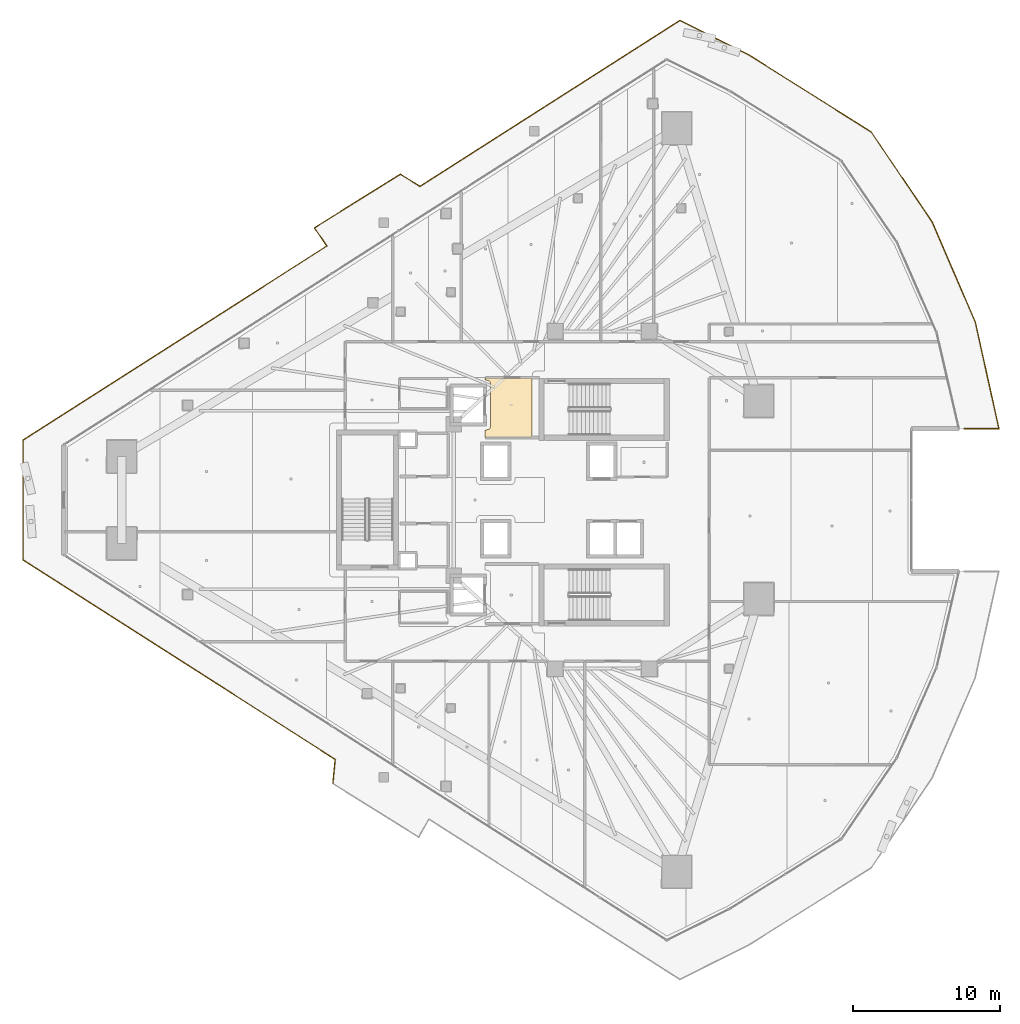
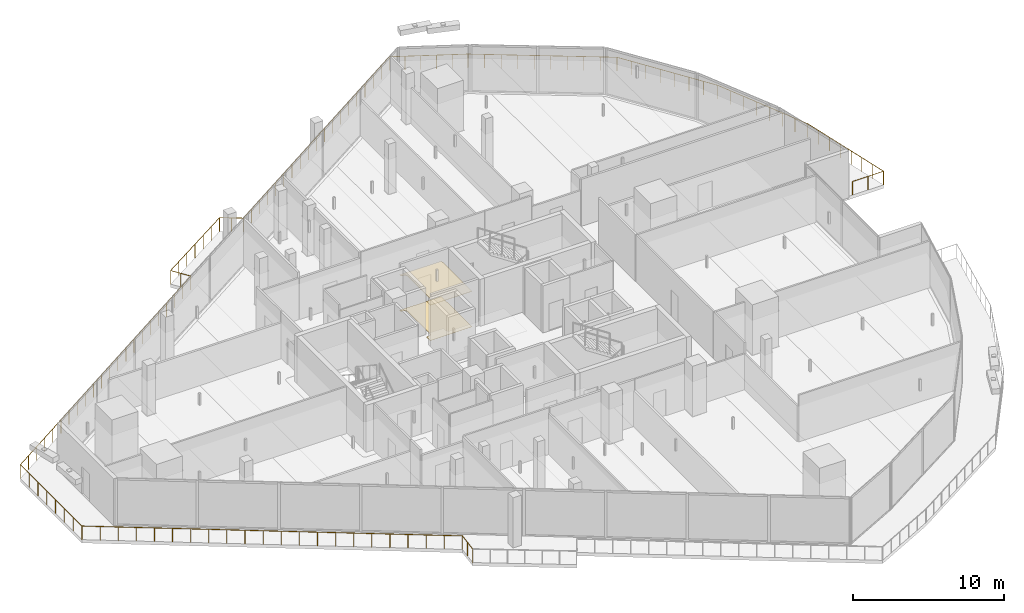
# One storey, part 37 of 39: 2 coverings, 1 railing.
"""IFC4 building model written with IfcOpenShell, lengths in metres."""

from ifc_helpers import new_model, si_unit, direction, frame, origin, origin_2d, place, context, subcontext, project, spatial, polyline, circle, outline, extrude, material, layer, layer_set, type_object, element, save


model = new_model("IFC4")

# Units and contexts
model_context = context("Model", 3, precision=1e-05, world=origin(), true_north=direction((0.0, 1.0)))
body_context = subcontext(model_context, "Body", "Model", "MODEL_VIEW")
ifc_project = project(units=[si_unit("LENGTHUNIT", "METRE"), si_unit("AREAUNIT", "SQUARE_METRE"), si_unit("VOLUMEUNIT", "CUBIC_METRE"), si_unit("PLANEANGLEUNIT", "RADIAN"), si_unit("MASSUNIT", "GRAM", prefix="KILO")], contexts=[model_context])

# Site, building, storey
site_placement = place(None, origin())
site = spatial("IfcSite", under=ifc_project, at=site_placement, CompositionType="ELEMENT")
building_placement = place(site_placement, origin())
building = spatial("IfcBuilding", under=site, at=building_placement, Name="Qorvath Tower", CompositionType="ELEMENT")
storey_placement = place(building_placement, frame((0.0, 0.0, 142.199951171875)))
storey = spatial("IfcBuildingStorey", under=building, at=storey_placement, Name="L32", CompositionType="ELEMENT", Elevation=142.199951171875)

# Coverings
ifc_material_1 = material(Name="Acoustic mineral fibre ceiling tile", Category="gypsum")
ifc_layer_1 = layer(ifc_material_1, 0.030029296875)
ifc_layer_set_1 = layer_set([ifc_layer_1], Name="COV-CEIL")
covering_type_1 = type_object("IfcCoveringType", Name="COV-CEIL", PredefinedType="CEILING", material=ifc_layer_set_1)
covering_1_placement = place(storey_placement, frame((0.0, 0.0, 2.85009765625)))
element("IfcCovering", 1, at=covering_1_placement, inside=storey, type_object=covering_type_1, Name="L32 Suspended Acoustic Ceiling 001", PredefinedType="CEILING", context=body_context, shape_type="SweptSolid", body=[
    extrude(outline(polyline([(-25.18994140625, 4.2548828125), (-25.18994140625, 8.294921875), (-28.375, 8.294921875), (-28.375, 8.159912109375), (-28.063232421875, 8.086669921875), (-27.989990234375, 7.909912109375), (-27.989990234375, 4.989990234375), (-28.063232421875, 4.813232421875), (-28.375, 4.739990234375), (-28.375, 4.2548828125), (-25.18994140625, 4.2548828125)])), origin(), (0.0, 0.0, 1.0), 0.030029296875),
])
ifc_material_2 = material(Name="Polished epoxy terrazzo flooring", Category="concrete")
ifc_layer_2 = layer(ifc_material_2, 0.02001953125)
ifc_layer_set_2 = layer_set([ifc_layer_2], Name="COV-FLOOR-TRZ")
covering_type_2 = type_object("IfcCoveringType", Name="COV-FLOOR-TRZ", PredefinedType="FLOORING", material=ifc_layer_set_2)
covering_2_placement = place(storey_placement, origin())
element("IfcCovering", 2, at=covering_2_placement, inside=storey, type_object=covering_type_2, Name="L32 Floor Finish 001", PredefinedType="FLOORING", context=body_context, shape_type="SweptSolid", body=[
    extrude(outline(polyline([(-25.18994140625, 4.2548828125), (-25.18994140625, 8.294921875), (-28.375, 8.294921875), (-28.375, 8.159912109375), (-28.063232421875, 8.086669921875), (-27.989990234375, 7.909912109375), (-27.989990234375, 4.989990234375), (-28.063232421875, 4.813232421875), (-28.375, 4.739990234375), (-28.375, 4.2548828125), (-25.18994140625, 4.2548828125)])), origin(), (0.0, 0.0, 1.0), 0.01513671875),
])

# Railing
ifc_material_3 = material(Name="Laminated safety glass and stainless steel AISI 316", Category="steel")
railing_type = type_object("IfcRailingType", Name="RL-EXT-GRD", PredefinedType="GUARDRAIL", material=ifc_material_3)
railing_placement = place(storey_placement, frame((-38.7138671875, -19.268310546875, 0.0)))
element("IfcRailing", 3, at=railing_placement, inside=storey, type_object=railing_type, Name="Loggia Perimeter Guardrail L32-1.1", PredefinedType="GUARDRAIL", context=body_context, shape_type="SweptSolid", body=[
    extrude(circle(Radius=0.02392578125, at=origin_2d()), frame((0.0, 0.0, 1.09619140625), z_axis=(0.098846376937, 0.995102705135, 0.0), x_axis=(-0.995102705135, 0.098846376937, 0.0)), (0.0, 0.0, 1.0), 1.65478515625),
    extrude(circle(Radius=0.02392578125, at=origin_2d()), frame((0.16357421875, 1.646728515625, 1.09619140625), z_axis=(-0.842601341732, 0.538537815675, 0.0), x_axis=(-0.538537815675, -0.842601341732, 0.0)), (0.0, 0.0, 1.0), 25.158203125),
    extrude(circle(Radius=0.02392578125, at=origin_2d()), frame((-21.03466796875, 15.1953125, 1.09619140625), z_axis=(0.0, 1.0, 0.0), x_axis=(-1.0, 0.0, 0.0)), (0.0, 0.0, 1.0), 8.14599609375),
    extrude(circle(Radius=0.02392578125, at=origin_2d()), frame((-21.03466796875, 23.34130859375, 1.09619140625), z_axis=(0.842601093359, 0.538538204281, 0.0), x_axis=(-0.538538204281, 0.842601093359, 0.0)), (0.0, 0.0, 1.0), 24.47802734375),
    extrude(circle(Radius=0.02392578125, at=origin_2d()), frame((-0.409423828125, 36.523681640625, 1.09619140625), z_axis=(-0.564331820772, 0.825548057998, 0.0), x_axis=(-0.825548057998, -0.564331820772, 0.0)), (0.0, 0.0, 1.0), 1.49169921875),
    extrude(circle(Radius=0.02392578125, at=origin_2d()), frame((-1.251220703125, 37.755126953125, 1.09619140625), z_axis=(0.848058037451, 0.529903354505, 0.0), x_axis=(-0.529903354505, 0.848058037451, 0.0)), (0.0, 0.0, 1.0), 6.887939453125),
    extrude(circle(Radius=0.02392578125, at=origin_2d()), frame((4.590087890625, 41.405029296875, 1.09619140625), z_axis=(0.851062504488, -0.525064389818, 0.0), x_axis=(0.525064389818, 0.851062504488, 0.0)), (0.0, 0.0, 1.0), 1.5771484375),
    extrude(circle(Radius=0.02392578125, at=origin_2d()), frame((5.932373046875, 40.576904296875, 1.09619140625), z_axis=(0.842600732748, 0.538538768496, 0.0), x_axis=(-0.538538768496, 0.842600732748, 0.0)), (0.0, 0.0, 1.0), 20.938720703125),
    extrude(circle(Radius=0.02392578125, at=origin_2d()), frame((23.575439453125, 51.853271484375, 1.09619140625), z_axis=(0.894417808962, -0.447232359083, 0.0), x_axis=(0.447232359083, 0.894417808962, 0.0)), (0.0, 0.0, 1.0), 5.20458984375),
    extrude(circle(Radius=0.02392578125, at=origin_2d()), frame((28.23046875, 49.525634765625, 1.09619140625), z_axis=(0.846505421647, -0.532380100231, 0.0), x_axis=(0.532380100231, 0.846505421647, 0.0)), (0.0, 0.0, 1.0), 9.852783203125),
    extrude(circle(Radius=0.02392578125, at=origin_2d()), frame((36.57080078125, 44.2802734375, 1.09619140625), z_axis=(0.560829201616, -0.827931522902, 0.0), x_axis=(0.827931522902, 0.560829201616, 0.0)), (0.0, 0.0, 1.0), 7.4091796875),
    extrude(circle(Radius=0.02392578125, at=origin_2d()), frame((40.72607421875, 38.14599609375, 1.09619140625), z_axis=(0.395477654199, -0.918475598494, 0.0), x_axis=(0.918475598494, 0.395477654199, 0.0)), (0.0, 0.0, 1.0), 7.4091796875),
    extrude(circle(Radius=0.02392578125, at=origin_2d()), frame((43.65625, 31.3408203125, 1.09619140625), z_axis=(0.216093033499, -0.976372777618, 0.0), x_axis=(0.976372777618, 0.216093033499, 0.0)), (0.0, 0.0, 1.0), 7.4091796875),
    extrude(circle(Radius=0.02392578125, at=origin_2d()), frame((45.25732421875, 24.106689453125, 1.09619140625), z_axis=(-1.0, 0.0, 0.0), x_axis=(0.0, -1.0, 0.0)), (0.0, 0.0, 1.0), 2.36669921875),
    extrude(circle(Radius=0.02099609375, at=origin_2d()), origin(), (0.0, 0.0, 1.0), 1.072021484375),
    extrude(circle(Radius=0.02099609375, at=origin_2d()), frame((0.081787109375, 0.8232421875, 0.0)), (0.0, 0.0, 1.0), 1.072021484375),
    extrude(circle(Radius=0.02099609375, at=origin_2d()), frame((0.16357421875, 1.646728515625, 0.0)), (0.0, 0.0, 1.0), 1.072021484375),
    extrude(circle(Radius=0.02099609375, at=origin_2d()), frame((-0.845947265625, 2.2919921875, 0.0)), (0.0, 0.0, 1.0), 1.072021484375),
    extrude(circle(Radius=0.02099609375, at=origin_2d()), frame((-1.855224609375, 2.93701171875, 0.0)), (0.0, 0.0, 1.0), 1.072021484375),
    extrude(circle(Radius=0.02099609375, at=origin_2d()), frame((-2.86474609375, 3.582275390625, 0.0)), (0.0, 0.0, 1.0), 1.072021484375),
    extrude(circle(Radius=0.02099609375, at=origin_2d()), frame((-3.874267578125, 4.227294921875, 0.0)), (0.0, 0.0, 1.0), 1.072021484375),
    extrude(circle(Radius=0.02099609375, at=origin_2d()), frame((-4.883544921875, 4.87255859375, 0.0)), (0.0, 0.0, 1.0), 1.072021484375),
    extrude(circle(Radius=0.02099609375, at=origin_2d()), frame((-5.89306640625, 5.517822265625, 0.0)), (0.0, 0.0, 1.0), 1.072021484375),
    extrude(circle(Radius=0.02099609375, at=origin_2d()), frame((-6.902587890625, 6.162841796875, 0.0)), (0.0, 0.0, 1.0), 1.072021484375),
    extrude(circle(Radius=0.02099609375, at=origin_2d()), frame((-7.911865234375, 6.80810546875, 0.0)), (0.0, 0.0, 1.0), 1.072021484375),
    extrude(circle(Radius=0.02099609375, at=origin_2d()), frame((-8.92138671875, 7.453369140625, 0.0)), (0.0, 0.0, 1.0), 1.072021484375),
    extrude(circle(Radius=0.02099609375, at=origin_2d()), frame((-9.930908203125, 8.098388671875, 0.0)), (0.0, 0.0, 1.0), 1.072021484375),
    extrude(circle(Radius=0.02099609375, at=origin_2d()), frame((-10.940185546875, 8.74365234375, 0.0)), (0.0, 0.0, 1.0), 1.072021484375),
    extrude(circle(Radius=0.02099609375, at=origin_2d()), frame((-11.94970703125, 9.388671875, 0.0)), (0.0, 0.0, 1.0), 1.072021484375),
    extrude(circle(Radius=0.02099609375, at=origin_2d()), frame((-12.959228515625, 10.033935546875, 0.0)), (0.0, 0.0, 1.0), 1.072021484375),
    extrude(circle(Radius=0.02099609375, at=origin_2d()), frame((-13.968505859375, 10.67919921875, 0.0)), (0.0, 0.0, 1.0), 1.072021484375),
    extrude(circle(Radius=0.02099609375, at=origin_2d()), frame((-14.97802734375, 11.32421875, 0.0)), (0.0, 0.0, 1.0), 1.072021484375),
    extrude(circle(Radius=0.02099609375, at=origin_2d()), frame((-15.987548828125, 11.969482421875, 0.0)), (0.0, 0.0, 1.0), 1.072021484375),
    extrude(circle(Radius=0.02099609375, at=origin_2d()), frame((-16.996826171875, 12.61474609375, 0.0)), (0.0, 0.0, 1.0), 1.072021484375),
    extrude(circle(Radius=0.02099609375, at=origin_2d()), frame((-18.00634765625, 13.259765625, 0.0)), (0.0, 0.0, 1.0), 1.072021484375),
    extrude(circle(Radius=0.02099609375, at=origin_2d()), frame((-19.015869140625, 13.905029296875, 0.0)), (0.0, 0.0, 1.0), 1.072021484375),
    extrude(circle(Radius=0.02099609375, at=origin_2d()), frame((-20.025146484375, 14.550048828125, 0.0)), (0.0, 0.0, 1.0), 1.072021484375),
    extrude(circle(Radius=0.02099609375, at=origin_2d()), frame((-21.03466796875, 15.1953125, 0.0)), (0.0, 0.0, 1.0), 1.072021484375),
    extrude(circle(Radius=0.02099609375, at=origin_2d()), frame((-21.03466796875, 16.359130859375, 0.0)), (0.0, 0.0, 1.0), 1.072021484375),
    extrude(circle(Radius=0.02099609375, at=origin_2d()), frame((-21.03466796875, 17.522705078125, 0.0)), (0.0, 0.0, 1.0), 1.072021484375),
    extrude(circle(Radius=0.02099609375, at=origin_2d()), frame((-21.03466796875, 18.6865234375, 0.0)), (0.0, 0.0, 1.0), 1.072021484375),
    extrude(circle(Radius=0.02099609375, at=origin_2d()), frame((-21.03466796875, 19.85009765625, 0.0)), (0.0, 0.0, 1.0), 1.072021484375),
    extrude(circle(Radius=0.02099609375, at=origin_2d()), frame((-21.03466796875, 21.013916015625, 0.0)), (0.0, 0.0, 1.0), 1.072021484375),
    extrude(circle(Radius=0.02099609375, at=origin_2d()), frame((-21.03466796875, 22.177490234375, 0.0)), (0.0, 0.0, 1.0), 1.072021484375),
    extrude(circle(Radius=0.02099609375, at=origin_2d()), frame((-21.03466796875, 23.34130859375, 0.0)), (0.0, 0.0, 1.0), 1.072021484375),
    extrude(circle(Radius=0.02099609375, at=origin_2d()), frame((-20.052490234375, 23.968994140625, 0.0)), (0.0, 0.0, 1.0), 1.072021484375),
    extrude(circle(Radius=0.02099609375, at=origin_2d()), frame((-19.0703125, 24.5966796875, 0.0)), (0.0, 0.0, 1.0), 1.072021484375),
    extrude(circle(Radius=0.02099609375, at=origin_2d()), frame((-18.088134765625, 25.224609375, 0.0)), (0.0, 0.0, 1.0), 1.072021484375),
    extrude(circle(Radius=0.02099609375, at=origin_2d()), frame((-17.10595703125, 25.852294921875, 0.0)), (0.0, 0.0, 1.0), 1.072021484375),
    extrude(circle(Radius=0.02099609375, at=origin_2d()), frame((-16.123779296875, 26.47998046875, 0.0)), (0.0, 0.0, 1.0), 1.072021484375),
    extrude(circle(Radius=0.02099609375, at=origin_2d()), frame((-15.141845703125, 27.107666015625, 0.0)), (0.0, 0.0, 1.0), 1.072021484375),
    extrude(circle(Radius=0.02099609375, at=origin_2d()), frame((-14.15966796875, 27.7353515625, 0.0)), (0.0, 0.0, 1.0), 1.072021484375),
    extrude(circle(Radius=0.02099609375, at=origin_2d()), frame((-13.177490234375, 28.36328125, 0.0)), (0.0, 0.0, 1.0), 1.072021484375),
    extrude(circle(Radius=0.02099609375, at=origin_2d()), frame((-12.1953125, 28.990966796875, 0.0)), (0.0, 0.0, 1.0), 1.072021484375),
    extrude(circle(Radius=0.02099609375, at=origin_2d()), frame((-11.213134765625, 29.61865234375, 0.0)), (0.0, 0.0, 1.0), 1.072021484375),
    extrude(circle(Radius=0.02099609375, at=origin_2d()), frame((-10.23095703125, 30.246337890625, 0.0)), (0.0, 0.0, 1.0), 1.072021484375),
    extrude(circle(Radius=0.02099609375, at=origin_2d()), frame((-9.248779296875, 30.8740234375, 0.0)), (0.0, 0.0, 1.0), 1.072021484375),
    extrude(circle(Radius=0.02099609375, at=origin_2d()), frame((-8.2666015625, 31.501708984375, 0.0)), (0.0, 0.0, 1.0), 1.072021484375),
    extrude(circle(Radius=0.02099609375, at=origin_2d()), frame((-7.284423828125, 32.129638671875, 0.0)), (0.0, 0.0, 1.0), 1.072021484375),
    extrude(circle(Radius=0.02099609375, at=origin_2d()), frame((-6.30224609375, 32.75732421875, 0.0)), (0.0, 0.0, 1.0), 1.072021484375),
    extrude(circle(Radius=0.02099609375, at=origin_2d()), frame((-5.3203125, 33.385009765625, 0.0)), (0.0, 0.0, 1.0), 1.072021484375),
    extrude(circle(Radius=0.02099609375, at=origin_2d()), frame((-4.338134765625, 34.0126953125, 0.0)), (0.0, 0.0, 1.0), 1.072021484375),
    extrude(circle(Radius=0.02099609375, at=origin_2d()), frame((-3.35595703125, 34.640380859375, 0.0)), (0.0, 0.0, 1.0), 1.072021484375),
    extrude(circle(Radius=0.02099609375, at=origin_2d()), frame((-2.373779296875, 35.268310546875, 0.0)), (0.0, 0.0, 1.0), 1.072021484375),
    extrude(circle(Radius=0.02099609375, at=origin_2d()), frame((-1.3916015625, 35.89599609375, 0.0)), (0.0, 0.0, 1.0), 1.072021484375),
    extrude(circle(Radius=0.02099609375, at=origin_2d()), frame((-0.409423828125, 36.523681640625, 0.0)), (0.0, 0.0, 1.0), 1.072021484375),
    extrude(circle(Radius=0.02099609375, at=origin_2d()), frame((-0.830322265625, 37.139404296875, 0.0)), (0.0, 0.0, 1.0), 1.072021484375),
    extrude(circle(Radius=0.02099609375, at=origin_2d()), frame((-1.251220703125, 37.755126953125, 0.0)), (0.0, 0.0, 1.0), 1.072021484375),
    extrude(circle(Radius=0.02099609375, at=origin_2d()), frame((-0.277587890625, 38.363525390625, 0.0)), (0.0, 0.0, 1.0), 1.072021484375),
    extrude(circle(Radius=0.02099609375, at=origin_2d()), frame((0.69580078125, 38.9716796875, 0.0)), (0.0, 0.0, 1.0), 1.072021484375),
    extrude(circle(Radius=0.02099609375, at=origin_2d()), frame((1.66943359375, 39.580078125, 0.0)), (0.0, 0.0, 1.0), 1.072021484375),
    extrude(circle(Radius=0.02099609375, at=origin_2d()), frame((2.64306640625, 40.1884765625, 0.0)), (0.0, 0.0, 1.0), 1.072021484375),
    extrude(circle(Radius=0.02099609375, at=origin_2d()), frame((3.616455078125, 40.796630859375, 0.0)), (0.0, 0.0, 1.0), 1.072021484375),
    extrude(circle(Radius=0.02099609375, at=origin_2d()), frame((4.590087890625, 41.405029296875, 0.0)), (0.0, 0.0, 1.0), 1.072021484375),
    extrude(circle(Radius=0.02099609375, at=origin_2d()), frame((5.26123046875, 40.990966796875, 0.0)), (0.0, 0.0, 1.0), 1.072021484375),
    extrude(circle(Radius=0.02099609375, at=origin_2d()), frame((5.932373046875, 40.576904296875, 0.0)), (0.0, 0.0, 1.0), 1.072021484375),
    extrude(circle(Radius=0.02099609375, at=origin_2d()), frame((6.91259765625, 41.203369140625, 0.0)), (0.0, 0.0, 1.0), 1.072021484375),
    extrude(circle(Radius=0.02099609375, at=origin_2d()), frame((7.892822265625, 41.829833984375, 0.0)), (0.0, 0.0, 1.0), 1.072021484375),
    extrude(circle(Radius=0.02099609375, at=origin_2d()), frame((8.872802734375, 42.456298828125, 0.0)), (0.0, 0.0, 1.0), 1.072021484375),
    extrude(circle(Radius=0.02099609375, at=origin_2d()), frame((9.85302734375, 43.082763671875, 0.0)), (0.0, 0.0, 1.0), 1.072021484375),
    extrude(circle(Radius=0.02099609375, at=origin_2d()), frame((10.833251953125, 43.709228515625, 0.0)), (0.0, 0.0, 1.0), 1.072021484375),
    extrude(circle(Radius=0.02099609375, at=origin_2d()), frame((11.8134765625, 44.335693359375, 0.0)), (0.0, 0.0, 1.0), 1.072021484375),
    extrude(circle(Radius=0.02099609375, at=origin_2d()), frame((12.79345703125, 44.962158203125, 0.0)), (0.0, 0.0, 1.0), 1.072021484375),
    extrude(circle(Radius=0.02099609375, at=origin_2d()), frame((13.773681640625, 45.588623046875, 0.0)), (0.0, 0.0, 1.0), 1.072021484375),
    extrude(circle(Radius=0.02099609375, at=origin_2d()), frame((14.75390625, 46.215087890625, 0.0)), (0.0, 0.0, 1.0), 1.072021484375),
    extrude(circle(Radius=0.02099609375, at=origin_2d()), frame((15.734130859375, 46.841552734375, 0.0)), (0.0, 0.0, 1.0), 1.072021484375),
    extrude(circle(Radius=0.02099609375, at=origin_2d()), frame((16.71435546875, 47.468017578125, 0.0)), (0.0, 0.0, 1.0), 1.072021484375),
    extrude(circle(Radius=0.02099609375, at=origin_2d()), frame((17.6943359375, 48.094482421875, 0.0)), (0.0, 0.0, 1.0), 1.072021484375),
    extrude(circle(Radius=0.02099609375, at=origin_2d()), frame((18.674560546875, 48.720947265625, 0.0)), (0.0, 0.0, 1.0), 1.072021484375),
    extrude(circle(Radius=0.02099609375, at=origin_2d()), frame((19.65478515625, 49.347412109375, 0.0)), (0.0, 0.0, 1.0), 1.072021484375),
    extrude(circle(Radius=0.02099609375, at=origin_2d()), frame((20.635009765625, 49.973876953125, 0.0)), (0.0, 0.0, 1.0), 1.072021484375),
    extrude(circle(Radius=0.02099609375, at=origin_2d()), frame((21.614990234375, 50.600341796875, 0.0)), (0.0, 0.0, 1.0), 1.072021484375),
    extrude(circle(Radius=0.02099609375, at=origin_2d()), frame((22.59521484375, 51.226806640625, 0.0)), (0.0, 0.0, 1.0), 1.072021484375),
    extrude(circle(Radius=0.02099609375, at=origin_2d()), frame((23.575439453125, 51.853271484375, 0.0)), (0.0, 0.0, 1.0), 1.072021484375),
    extrude(circle(Radius=0.02099609375, at=origin_2d()), frame((24.50634765625, 51.3876953125, 0.0)), (0.0, 0.0, 1.0), 1.072021484375),
    extrude(circle(Radius=0.02099609375, at=origin_2d()), frame((25.4375, 50.922119140625, 0.0)), (0.0, 0.0, 1.0), 1.072021484375),
    extrude(circle(Radius=0.02099609375, at=origin_2d()), frame((26.368408203125, 50.456787109375, 0.0)), (0.0, 0.0, 1.0), 1.072021484375),
    extrude(circle(Radius=0.02099609375, at=origin_2d()), frame((27.299560546875, 49.9912109375, 0.0)), (0.0, 0.0, 1.0), 1.072021484375),
    extrude(circle(Radius=0.02099609375, at=origin_2d()), frame((28.23046875, 49.525634765625, 0.0)), (0.0, 0.0, 1.0), 1.072021484375),
    extrude(circle(Radius=0.02099609375, at=origin_2d()), frame((29.1572265625, 48.94287109375, 0.0)), (0.0, 0.0, 1.0), 1.072021484375),
    extrude(circle(Radius=0.02099609375, at=origin_2d()), frame((30.083984375, 48.360107421875, 0.0)), (0.0, 0.0, 1.0), 1.072021484375),
    extrude(circle(Radius=0.02099609375, at=origin_2d()), frame((31.010498046875, 47.777099609375, 0.0)), (0.0, 0.0, 1.0), 1.072021484375),
    extrude(circle(Radius=0.02099609375, at=origin_2d()), frame((31.937255859375, 47.1943359375, 0.0)), (0.0, 0.0, 1.0), 1.072021484375),
    extrude(circle(Radius=0.02099609375, at=origin_2d()), frame((32.864013671875, 46.611572265625, 0.0)), (0.0, 0.0, 1.0), 1.072021484375),
    extrude(circle(Radius=0.02099609375, at=origin_2d()), frame((33.790771484375, 46.02880859375, 0.0)), (0.0, 0.0, 1.0), 1.072021484375),
    extrude(circle(Radius=0.02099609375, at=origin_2d()), frame((34.71728515625, 45.44580078125, 0.0)), (0.0, 0.0, 1.0), 1.072021484375),
    extrude(circle(Radius=0.02099609375, at=origin_2d()), frame((35.64404296875, 44.863037109375, 0.0)), (0.0, 0.0, 1.0), 1.072021484375),
    extrude(circle(Radius=0.02099609375, at=origin_2d()), frame((36.57080078125, 44.2802734375, 0.0)), (0.0, 0.0, 1.0), 1.072021484375),
    extrude(circle(Radius=0.02099609375, at=origin_2d()), frame((37.164306640625, 43.404052734375, 0.0)), (0.0, 0.0, 1.0), 1.072021484375),
    extrude(circle(Radius=0.02099609375, at=origin_2d()), frame((37.758056640625, 42.527587890625, 0.0)), (0.0, 0.0, 1.0), 1.072021484375),
    extrude(circle(Radius=0.02099609375, at=origin_2d()), frame((38.3515625, 41.6513671875, 0.0)), (0.0, 0.0, 1.0), 1.072021484375),
    extrude(circle(Radius=0.02099609375, at=origin_2d()), frame((38.9453125, 40.77490234375, 0.0)), (0.0, 0.0, 1.0), 1.072021484375),
    extrude(circle(Radius=0.02099609375, at=origin_2d()), frame((39.538818359375, 39.898681640625, 0.0)), (0.0, 0.0, 1.0), 1.072021484375),
    extrude(circle(Radius=0.02099609375, at=origin_2d()), frame((40.132568359375, 39.022216796875, 0.0)), (0.0, 0.0, 1.0), 1.072021484375),
    extrude(circle(Radius=0.02099609375, at=origin_2d()), frame((40.72607421875, 38.14599609375, 0.0)), (0.0, 0.0, 1.0), 1.072021484375),
    extrude(circle(Radius=0.02099609375, at=origin_2d()), frame((41.144775390625, 37.173828125, 0.0)), (0.0, 0.0, 1.0), 1.072021484375),
    extrude(circle(Radius=0.02099609375, at=origin_2d()), frame((41.563232421875, 36.20166015625, 0.0)), (0.0, 0.0, 1.0), 1.072021484375),
    extrude(circle(Radius=0.02099609375, at=origin_2d()), frame((41.98193359375, 35.2294921875, 0.0)), (0.0, 0.0, 1.0), 1.072021484375),
    extrude(circle(Radius=0.02099609375, at=origin_2d()), frame((42.400390625, 34.25732421875, 0.0)), (0.0, 0.0, 1.0), 1.072021484375),
    extrude(circle(Radius=0.02099609375, at=origin_2d()), frame((42.819091796875, 33.28515625, 0.0)), (0.0, 0.0, 1.0), 1.072021484375),
    extrude(circle(Radius=0.02099609375, at=origin_2d()), frame((43.237548828125, 32.31298828125, 0.0)), (0.0, 0.0, 1.0), 1.072021484375),
    extrude(circle(Radius=0.02099609375, at=origin_2d()), frame((43.65625, 31.3408203125, 0.0)), (0.0, 0.0, 1.0), 1.072021484375),
    extrude(circle(Radius=0.02099609375, at=origin_2d()), frame((43.885009765625, 30.307373046875, 0.0)), (0.0, 0.0, 1.0), 1.072021484375),
    extrude(circle(Radius=0.02099609375, at=origin_2d()), frame((44.11376953125, 29.27392578125, 0.0)), (0.0, 0.0, 1.0), 1.072021484375),
    extrude(circle(Radius=0.02099609375, at=origin_2d()), frame((44.342529296875, 28.240478515625, 0.0)), (0.0, 0.0, 1.0), 1.072021484375),
    extrude(circle(Radius=0.02099609375, at=origin_2d()), frame((44.571044921875, 27.20703125, 0.0)), (0.0, 0.0, 1.0), 1.072021484375),
    extrude(circle(Radius=0.02099609375, at=origin_2d()), frame((44.7998046875, 26.173583984375, 0.0)), (0.0, 0.0, 1.0), 1.072021484375),
    extrude(circle(Radius=0.02099609375, at=origin_2d()), frame((45.028564453125, 25.14013671875, 0.0)), (0.0, 0.0, 1.0), 1.072021484375),
    extrude(circle(Radius=0.02099609375, at=origin_2d()), frame((45.25732421875, 24.106689453125, 0.0)), (0.0, 0.0, 1.0), 1.072021484375),
    extrude(circle(Radius=0.02099609375, at=origin_2d()), frame((44.073974609375, 24.106689453125, 0.0)), (0.0, 0.0, 1.0), 1.072021484375),
    extrude(circle(Radius=0.02099609375, at=origin_2d()), frame((42.890625, 24.106689453125, 0.0)), (0.0, 0.0, 1.0), 1.072021484375),
])

save(model, "model.ifc")
